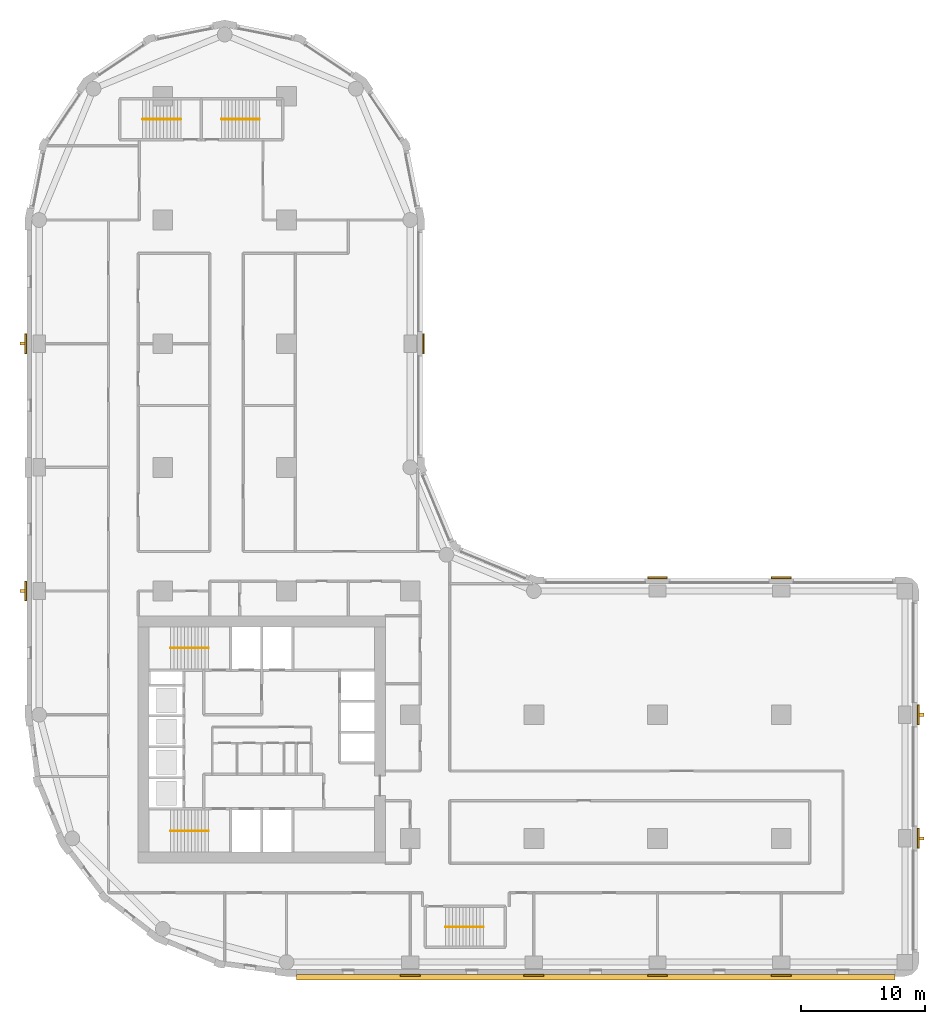
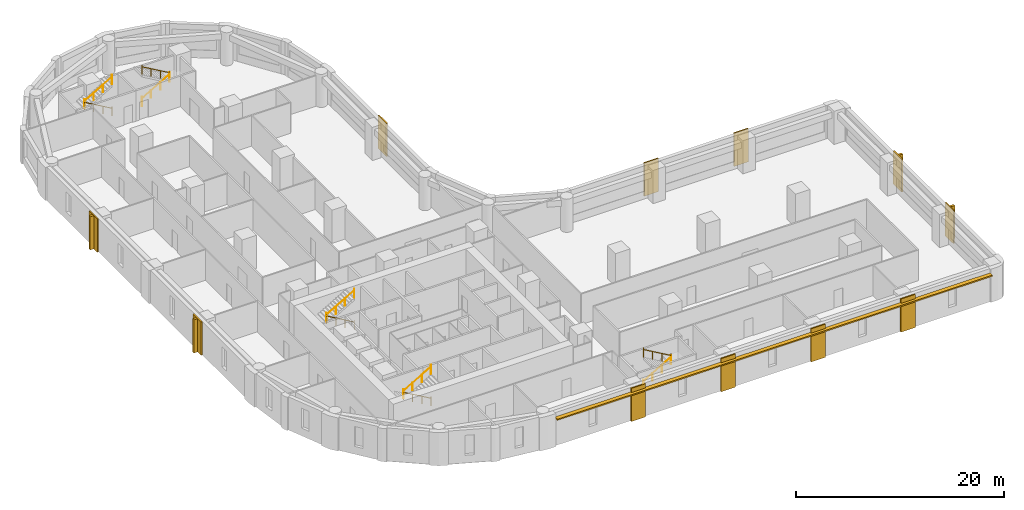
# One storey, part 9 of 10: 11 coverings, 10 railings, 5 shading devices.
"""IFC4 building model written with IfcOpenShell, lengths in metres."""

import ifcopenshell
import ifcopenshell.guid

model = None  # the IFC model being written
_history = None  # IfcOwnerHistory: only IFC2X3 demands one
_inside = {}  # id of a spatial element -> (the spatial element, [elements in it])
_under = {}  # id of a project, library or spatial element -> (it, [spatial elements below it])
_declared = {}  # id of a project -> (the project, [libraries it declares])
_typed = {}  # id of a type object -> (the type object, [elements of that type])
_made_of = {}  # id of a material, layer set ... -> (it, [elements and type objects made of it])


def new_model(schema):
    """Start an empty IFC model of exactly this schema.

    Asked for "IFC4X3", IfcOpenShell would pick the latest addendum, in which some entities
    have other attributes; the version numbers below select the first issue.
    IFC2X3 requires an IfcOwnerHistory on every rooted entity: one is made here for all.
    """
    global model, _history
    if schema == "IFC4X3":
        model = ifcopenshell.file(schema_version=(4, 3, 0, 0))
    else:
        model = ifcopenshell.file(schema=schema)
    _inside.clear()
    _under.clear()
    _declared.clear()
    _typed.clear()
    _made_of.clear()
    _history = None
    if model.schema == "IFC2X3":
        org = make("IfcOrganization", Name="unknown")
        user = make(
            "IfcPersonAndOrganization",
            ThePerson=make("IfcPerson", FamilyName="unknown"),
            TheOrganization=org,
        )
        app = make(
            "IfcApplication",
            ApplicationDeveloper=org,
            Version="unknown",
            ApplicationFullName="unknown",
            ApplicationIdentifier="unknown",
        )
        _history = make(
            "IfcOwnerHistory",
            OwningUser=user,
            OwningApplication=app,
            ChangeAction="ADDED",
            CreationDate=0,
        )
    return model


def make(cls, **values):
    """One entity of the class cls with the attributes given. An attribute that is None is left unset."""
    return model.create_entity(
        cls, **{name: value for name, value in values.items() if value is not None}
    )


def rooted(cls, **values):
    """An entity with a GlobalId (a new one), such as an element, a storey or a relation."""
    return make(cls, GlobalId=ifcopenshell.guid.new(), OwnerHistory=_history, **values)


def si_unit(unit_type, name, prefix=None):
    """IfcSIUnit, for example si_unit("LENGTHUNIT", "METRE", prefix="MILLI")."""
    return make("IfcSIUnit", UnitType=unit_type, Prefix=prefix, Name=name)


def assignment(units):
    """IfcUnitAssignment: the units of a project."""
    return None if units is None else make("IfcUnitAssignment", Units=units)


def point(xyz):
    """IfcCartesianPoint."""
    return None if xyz is None else make("IfcCartesianPoint", Coordinates=xyz)


def direction(xyz):
    """IfcDirection."""
    return None if xyz is None else make("IfcDirection", DirectionRatios=xyz)


def frame(location, z_axis=None, x_axis=None):
    """IfcAxis2Placement3D, a coordinate frame: its origin and axes. An axis left out is left unset."""
    return make(
        "IfcAxis2Placement3D",
        Location=point(location),
        Axis=direction(z_axis),
        RefDirection=direction(x_axis),
    )


def frame_2d(location, x_axis=None):
    """IfcAxis2Placement2D, a coordinate frame in the plane: its origin and x axis."""
    return make(
        "IfcAxis2Placement2D", Location=point(location), RefDirection=direction(x_axis)
    )


def origin():
    """The frame at (0, 0, 0) with its axes left unset."""
    return frame((0.0, 0.0, 0.0))


def origin_2d():
    """The frame at (0, 0) in the plane with its x axis left unset."""
    return frame_2d((0.0, 0.0))


def place(relative_to, where):
    """IfcLocalPlacement: puts the frame where relative to a parent placement (None: the world)."""
    return make(
        "IfcLocalPlacement", PlacementRelTo=relative_to, RelativePlacement=where
    )


def context(
    kind, dimensions, precision=None, world=None, true_north=None, identifier=None
):
    """IfcGeometricRepresentationContext, for example the 3D "Model" context."""
    return make(
        "IfcGeometricRepresentationContext",
        ContextIdentifier=identifier,
        ContextType=kind,
        CoordinateSpaceDimension=dimensions,
        Precision=precision,
        WorldCoordinateSystem=world,
        TrueNorth=true_north,
    )


def subcontext(parent, identifier, kind, view, scale=None):
    """IfcGeometricRepresentationSubContext, for example "Body" below "Model"."""
    return make(
        "IfcGeometricRepresentationSubContext",
        ContextIdentifier=identifier,
        ContextType=kind,
        ParentContext=parent,
        TargetScale=scale,
        TargetView=view,
    )


def project(units=None, contexts=None):
    """IfcProject with its units and contexts."""
    return rooted(
        "IfcProject",
        Name="project",
        RepresentationContexts=contexts,
        UnitsInContext=assignment(units),
    )


def spatial(cls, under=None, at=None, **own):
    """A site, building, storey or space (cls), placed at a placement, below another one or the project."""
    s = rooted(cls, ObjectPlacement=at, **own)
    if under is not None:
        _under.setdefault(under.id(), (under, []))[1].append(s)
    return s


def polyline(points):
    """IfcPolyline through the points."""
    return make("IfcPolyline", Points=[point(p) for p in points])


def profile(cls, at=None, kind="AREA", **sizes):
    """A parametric profile (cls). Its sizes go by their IFC names, for example OverallWidth=200.0."""
    return make(cls, ProfileType=kind, Position=at, **sizes)


def rectangle(**sizes):
    """IfcRectangleProfileDef."""
    return profile("IfcRectangleProfileDef", **sizes)


def circle(**sizes):
    """IfcCircleProfileDef."""
    return profile("IfcCircleProfileDef", **sizes)


def outline(outer, holes=None, kind="AREA"):
    """IfcArbitraryClosedProfileDef: a profile drawn as a closed curve; with holes, ...WithVoids."""
    if holes is None:
        return make("IfcArbitraryClosedProfileDef", ProfileType=kind, OuterCurve=outer)
    return make(
        "IfcArbitraryProfileDefWithVoids",
        ProfileType=kind,
        OuterCurve=outer,
        InnerCurves=holes,
    )


def extrude(swept, where, along, depth):
    """IfcExtrudedAreaSolid: the profile swept, set in the frame where, extruded along a direction by depth."""
    return make(
        "IfcExtrudedAreaSolid",
        SweptArea=swept,
        Position=where,
        ExtrudedDirection=direction(along),
        Depth=depth,
    )


def shape(context_of_items, identifier, shape_type, items):
    """IfcShapeRepresentation: the items that make up one representation, for example the "Body"."""
    return make(
        "IfcShapeRepresentation",
        ContextOfItems=context_of_items,
        RepresentationIdentifier=identifier,
        RepresentationType=shape_type,
        Items=items,
    )


def material(Name=None, Category=None):
    """IfcMaterial."""
    return make("IfcMaterial", Name=Name, Category=Category)


def layer(
    of_material, thickness, ventilated=None, Name=None, Category=None, Priority=None
):
    """IfcMaterialLayer: one layer of a wall or slab, of a material (None: an air gap)."""
    return make(
        "IfcMaterialLayer",
        Material=of_material,
        LayerThickness=thickness,
        IsVentilated=ventilated,
        Name=Name,
        Category=Category,
        Priority=Priority,
    )


def layer_set(layers, Name=None):
    """IfcMaterialLayerSet."""
    return make("IfcMaterialLayerSet", MaterialLayers=layers, LayerSetName=Name)


def made_of(thing, what):
    """Note that an element or type object is made of a material, layer set ...; save() writes the relation."""
    if what is not None:
        _made_of.setdefault(what.id(), (what, []))[1].append(thing)
    return thing


def type_object(cls, material=None, **own):
    """A type object (cls), such as IfcWallType, which elements share."""
    return made_of(rooted(cls, **own), material)


def element(
    cls,
    number,
    at=None,
    inside=None,
    cuts=None,
    type_object=None,
    material=None,
    context=None,
    identifier="Body",
    shape_type=None,
    held_by="IfcProductDefinitionShape",
    body=None,
    shapes=None,
    **own,
):
    """One element of the class cls, such as IfcWall. Its Tag is "e" and its number.

    at: its placement. inside: the storey or other place that contains it. cuts: it is an
    opening in that element (IfcRelVoidsElement). A single representation is given by context,
    identifier, shape_type and body (its items); several are given by shapes. held_by: the class
    of the entity that holds the representations. save() writes the other relations.
    """
    e = rooted(cls, Tag="e%d" % number, ObjectPlacement=at, **own)
    if body is not None:
        shapes = [shape(context, identifier, shape_type, body)]
    if shapes is not None:
        e.Representation = make(held_by, Representations=shapes)
    if inside is not None:
        _inside.setdefault(inside.id(), (inside, []))[1].append(e)
    if cuts is not None:
        rooted(
            "IfcRelVoidsElement", RelatingBuildingElement=cuts, RelatedOpeningElement=e
        )
    if type_object is not None:
        _typed.setdefault(type_object.id(), (type_object, []))[1].append(e)
    return made_of(e, material)


def aggregate(whole, parts):
    """IfcRelAggregates: a whole, such as a stair, and the parts it consists of."""
    return rooted("IfcRelAggregates", RelatingObject=whole, RelatedObjects=parts)


def save(model, path):
    """Write the relations noted so far, then the file.

    IfcRelAggregates (storeys below a building ...), IfcRelContainedInSpatialStructure (elements
    in a storey), IfcRelDefinesByType, IfcRelAssociatesMaterial and IfcRelDeclares: one each for
    every whole, place, type object, material and project.
    """
    for whole, parts in _under.values():
        aggregate(whole, parts)
    for where, things in _inside.values():
        rooted(
            "IfcRelContainedInSpatialStructure",
            RelatedElements=things,
            RelatingStructure=where,
        )
    for kind, things in _typed.values():
        rooted("IfcRelDefinesByType", RelatedObjects=things, RelatingType=kind)
    for what, things in _made_of.values():
        rooted("IfcRelAssociatesMaterial", RelatedObjects=things, RelatingMaterial=what)
    for by, libraries in _declared.values():
        rooted("IfcRelDeclares", RelatingContext=by, RelatedDefinitions=libraries)
    model.write(path)


model = new_model("IFC4")

# Units and contexts
model_context = context("Model", 3, precision=1e-05, world=origin(), true_north=direction((0.0, 1.0)))
body_context = subcontext(model_context, "Body", "Model", "MODEL_VIEW")
ifc_project = project(units=[si_unit("LENGTHUNIT", "METRE"), si_unit("AREAUNIT", "SQUARE_METRE"), si_unit("VOLUMEUNIT", "CUBIC_METRE"), si_unit("PLANEANGLEUNIT", "RADIAN"), si_unit("MASSUNIT", "GRAM", prefix="KILO")], contexts=[model_context])

# Site, building, storey
site_placement = place(None, origin())
site = spatial("IfcSite", under=ifc_project, at=site_placement, CompositionType="ELEMENT")
building_placement = place(site_placement, origin())
building = spatial("IfcBuilding", under=site, at=building_placement, Name="Qaws Garden Tower", CompositionType="ELEMENT")
storey_placement = place(building_placement, frame((0.0, 0.0, 93.89990234375)))
storey = spatial("IfcBuildingStorey", under=building, at=storey_placement, Name="L23", CompositionType="ELEMENT", Elevation=93.89990234375)

# Coverings
ifc_material_1 = material(Name="Clay facing brick masonry", Category="masonry")
ifc_layer_1 = layer(ifc_material_1, 0.14990234375)
ifc_layer_set_1 = layer_set([ifc_layer_1], Name="Clay facing brick masonry")
covering_type = type_object("IfcCoveringType", Name="Brick pilaster facing 150 x 1600", PredefinedType="CLADDING", material=ifc_layer_set_1)
placement = place(storey_placement, origin())
element("IfcCovering", 1, at=placement, inside=storey, type_object=covering_type, Name="E-L23-pier-01", PredefinedType="CLADDING", context=body_context, shape_type="SweptSolid", body=[
    extrude(outline(polyline([(29.199951171875, -1.0), (30.800048828125, -1.0), (30.800048828125, -1.14990234375), (29.199951171875, -1.14990234375), (29.199951171875, -1.0)])), origin(), (0.0, 0.0, 1.0), 3.900146484375),
])
element("IfcCovering", 2, at=placement, inside=storey, type_object=covering_type, Name="E-L23-pier-02", PredefinedType="CLADDING", context=body_context, shape_type="SweptSolid", body=[
    extrude(outline(polyline([(39.199951171875, -1.0), (40.800048828125, -1.0), (40.800048828125, -1.14990234375), (39.199951171875, -1.14990234375), (39.199951171875, -1.0)])), origin(), (0.0, 0.0, 1.0), 3.900146484375),
])
element("IfcCovering", 3, at=placement, inside=storey, type_object=covering_type, Name="E-L23-pier-03", PredefinedType="CLADDING", context=body_context, shape_type="SweptSolid", body=[
    extrude(outline(polyline([(49.199951171875, -1.0), (50.800048828125, -1.0), (50.800048828125, -1.14990234375), (49.199951171875, -1.14990234375), (49.199951171875, -1.0)])), origin(), (0.0, 0.0, 1.0), 3.900146484375),
])
element("IfcCovering", 4, at=placement, inside=storey, type_object=covering_type, Name="E-L23-pier-04", PredefinedType="CLADDING", context=body_context, shape_type="SweptSolid", body=[
    extrude(outline(polyline([(59.199951171875, -1.0), (60.800048828125, -1.0), (60.800048828125, -1.14990234375), (59.199951171875, -1.14990234375), (59.199951171875, -1.0)])), origin(), (0.0, 0.0, 1.0), 3.900146484375),
])
element("IfcCovering", 5, at=placement, inside=storey, type_object=covering_type, Name="E-L23-pier-06", PredefinedType="CLADDING", context=body_context, shape_type="SweptSolid", body=[
    extrude(outline(polyline([(71.0, 9.199951171875), (71.0, 10.800048828125), (71.14990234375, 10.800048828125), (71.14990234375, 9.199951171875), (71.0, 9.199951171875)])), origin(), (0.0, 0.0, 1.0), 3.900146484375),
])
element("IfcCovering", 6, at=placement, inside=storey, type_object=covering_type, Name="E-L23-pier-07", PredefinedType="CLADDING", context=body_context, shape_type="SweptSolid", body=[
    extrude(outline(polyline([(71.0, 19.199951171875), (71.0, 20.800048828125), (71.14990234375, 20.800048828125), (71.14990234375, 19.199951171875), (71.0, 19.199951171875)])), origin(), (0.0, 0.0, 1.0), 3.900146484375),
])
element("IfcCovering", 7, at=placement, inside=storey, type_object=covering_type, Name="E-L23-pier-09", PredefinedType="CLADDING", context=body_context, shape_type="SweptSolid", body=[
    extrude(outline(polyline([(60.800048828125, 31.0), (59.199951171875, 31.0), (59.199951171875, 31.14990234375), (60.800048828125, 31.14990234375), (60.800048828125, 31.0)])), origin(), (0.0, 0.0, 1.0), 3.900146484375),
])
element("IfcCovering", 8, at=placement, inside=storey, type_object=covering_type, Name="E-L23-pier-10", PredefinedType="CLADDING", context=body_context, shape_type="SweptSolid", body=[
    extrude(outline(polyline([(50.800048828125, 31.0), (49.199951171875, 31.0), (49.199951171875, 31.14990234375), (50.800048828125, 31.14990234375), (50.800048828125, 31.0)])), origin(), (0.0, 0.0, 1.0), 3.900146484375),
])
element("IfcCovering", 9, at=placement, inside=storey, type_object=covering_type, Name="E-L23-pier-14", PredefinedType="CLADDING", context=body_context, shape_type="SweptSolid", body=[
    extrude(outline(polyline([(31.0, 49.199951171875), (31.0, 50.800048828125), (31.14990234375, 50.800048828125), (31.14990234375, 49.199951171875), (31.0, 49.199951171875)])), origin(), (0.0, 0.0, 1.0), 3.900146484375),
])
element("IfcCovering", 10, at=placement, inside=storey, type_object=covering_type, Name="E-L23-pier-24", PredefinedType="CLADDING", context=body_context, shape_type="SweptSolid", body=[
    extrude(outline(polyline([(-1.0, 50.800048828125), (-1.0, 49.199951171875), (-1.14990234375, 49.199951171875), (-1.14990234375, 50.800048828125), (-1.0, 50.800048828125)])), origin(), (0.0, 0.0, 1.0), 3.900146484375),
])
element("IfcCovering", 11, at=placement, inside=storey, type_object=covering_type, Name="E-L23-pier-26", PredefinedType="CLADDING", context=body_context, shape_type="SweptSolid", body=[
    extrude(outline(polyline([(-1.0, 30.800048828125), (-1.0, 29.199951171875), (-1.14990234375, 29.199951171875), (-1.14990234375, 30.800048828125), (-1.0, 30.800048828125)])), origin(), (0.0, 0.0, 1.0), 3.900146484375),
])

# Shading devices
ifc_material_2 = material(Name="Clay facing brick masonry", Category="masonry")
ifc_layer_2 = layer(ifc_material_2, 0.14990234375)
ifc_layer_set_2 = layer_set([ifc_layer_2], Name="Clay facing brick masonry")
shading_device_type_1 = type_object("IfcShadingDeviceType", Name="Brick sunshade band 450 x 150", PredefinedType="JALOUSIE", material=ifc_layer_set_2)
shading_device_placement = place(storey_placement, frame((0.0, 0.0, 3.25)))
element("IfcShadingDevice", 12, at=shading_device_placement, inside=storey, type_object=shading_device_type_1, Name="SUNSHADE 00", PredefinedType="JALOUSIE", context=body_context, shape_type="SweptSolid", body=[
    extrude(outline(polyline([(20.800048828125, -1.0), (20.800048828125, -1.449951171875), (69.199951171875, -1.449951171875), (69.199951171875, -1.0), (60.800048828125, -1.0), (60.800048828125, -1.14990234375), (59.199951171875, -1.14990234375), (59.199951171875, -1.0), (50.800048828125, -1.0), (50.800048828125, -1.14990234375), (49.199951171875, -1.14990234375), (49.199951171875, -1.0), (40.800048828125, -1.0), (40.800048828125, -1.14990234375), (39.199951171875, -1.14990234375), (39.199951171875, -1.0), (30.800048828125, -1.0), (30.800048828125, -1.14990234375), (29.199951171875, -1.14990234375), (29.199951171875, -1.0), (20.800048828125, -1.0)])), origin(), (0.0, 0.0, 1.0), 0.150146484375),
])
ifc_material_3 = material(Name="Clay facing brick masonry", Category="masonry")
ifc_layer_3 = layer(ifc_material_3, 0.25)
ifc_layer_set_3 = layer_set([ifc_layer_3], Name="Clay facing brick masonry")
shading_device_type_2 = type_object("IfcShadingDeviceType", Name="Brick-faced fin 250 x 400", PredefinedType="USERDEFINED", material=ifc_layer_set_3)
for number, where, z_axis, x_axis, name in (
    (13, (71.35009765625, 10.0, 0.000244140625), (0.0, 0.0, 1.0), (0.0, 1.0, 0.0), "FIN 06"),
    (14, (71.35009765625, 20.0, 0.000244140625), (0.0, 0.0, 1.0), (0.0, 1.0, 0.0), "FIN 07"),
    (15, (-1.35009765625, 50.0, 0.000244140625), (0.0, 0.0, 1.0), (0.0, -1.0, 0.0), "FIN 24"),
    (16, (-1.35009765625, 30.0, 0.000244140625), (0.0, 0.0, 1.0), (0.0, -1.0, 0.0), "FIN 26"),
):
    element("IfcShadingDevice", number, at=place(storey_placement, frame(where, z_axis=z_axis, x_axis=x_axis)), inside=storey, type_object=shading_device_type_2, Name=name, ObjectType="FIN", PredefinedType="USERDEFINED", context=body_context, shape_type="SweptSolid", body=[
        extrude(rectangle(XDim=0.25, YDim=0.39990234375, at=origin_2d()), origin(), (0.0, 0.0, 1.0), 3.89990234375),
    ])

# Railings
ifc_material_4 = material(Name="Steel S355", Category="steel")
railing_type = type_object("IfcRailingType", Name="Stair handrail 900", PredefinedType="HANDRAIL", material=ifc_material_4)
railing_1_placement = place(storey_placement, frame((13.699951171875, 10.60009765625, 0.16259765625)))
element("IfcRailing", 17, at=railing_1_placement, inside=storey, type_object=railing_type, Name="Stair 1 handrail", PredefinedType="HANDRAIL", context=body_context, shape_type="SweptSolid", body=[
    extrude(circle(Radius=0.02392578125, at=origin_2d()), frame((0.0, 0.0, 0.8759765625), z_axis=(-0.864873446163, 0.0, 0.501989962173), x_axis=(0.0, -1.0, 0.0)), (0.0, 0.0, 1.0), 3.56103515625),
    extrude(circle(Radius=0.02099609375, at=origin_2d()), origin(), (0.0, 0.0, 1.0), 1.06201171875),
    extrude(circle(Radius=0.02099609375, at=origin_2d()), frame((-1.026611328125, 0.0, 0.595947265625)), (0.0, 0.0, 1.0), 0.851806640625),
    extrude(circle(Radius=0.02099609375, at=origin_2d()), frame((-2.05322265625, 0.0, 1.191650390625)), (0.0, 0.0, 1.0), 0.851806640625),
    extrude(circle(Radius=0.02099609375, at=origin_2d()), frame((-3.079833984375, 0.0, 1.78759765625)), (0.0, 0.0, 1.0), 1.06201171875),
])
railing_2_placement = place(storey_placement, frame((10.6201171875, 10.60009765625, 2.112548828125)))
element("IfcRailing", 18, at=railing_2_placement, inside=storey, type_object=railing_type, Name="Stair 1 handrail", PredefinedType="HANDRAIL", context=body_context, shape_type="SweptSolid", body=[
    extrude(circle(Radius=0.02392578125, at=origin_2d()), frame((0.0, 0.0, 0.8759765625), z_axis=(0.864873446163, 0.0, 0.501989962173), x_axis=(0.0, 1.0, 0.0)), (0.0, 0.0, 1.0), 3.56103515625),
    extrude(circle(Radius=0.02099609375, at=origin_2d()), origin(), (0.0, 0.0, 1.0), 1.06201171875),
    extrude(circle(Radius=0.02099609375, at=origin_2d()), frame((1.026611328125, 0.0, 0.595947265625)), (0.0, 0.0, 1.0), 0.851806640625),
    extrude(circle(Radius=0.02099609375, at=origin_2d()), frame((2.05322265625, 0.0, 1.191650390625)), (0.0, 0.0, 1.0), 0.851806640625),
    extrude(circle(Radius=0.02099609375, at=origin_2d()), frame((3.079833984375, 0.0, 1.78759765625)), (0.0, 0.0, 1.0), 1.06201171875),
])
railing_3_placement = place(storey_placement, frame((13.699951171875, 25.39990234375, 0.16259765625)))
element("IfcRailing", 19, at=railing_3_placement, inside=storey, type_object=railing_type, Name="Stair 4 handrail", PredefinedType="HANDRAIL", context=body_context, shape_type="SweptSolid", body=[
    extrude(circle(Radius=0.02392578125, at=origin_2d()), frame((0.0, 0.0, 0.8759765625), z_axis=(-0.864873446163, 0.0, 0.501989962173), x_axis=(0.0, -1.0, 0.0)), (0.0, 0.0, 1.0), 3.56103515625),
    extrude(circle(Radius=0.02099609375, at=origin_2d()), origin(), (0.0, 0.0, 1.0), 1.06201171875),
    extrude(circle(Radius=0.02099609375, at=origin_2d()), frame((-1.026611328125, 0.0, 0.595947265625)), (0.0, 0.0, 1.0), 0.851806640625),
    extrude(circle(Radius=0.02099609375, at=origin_2d()), frame((-2.05322265625, 0.0, 1.191650390625)), (0.0, 0.0, 1.0), 0.851806640625),
    extrude(circle(Radius=0.02099609375, at=origin_2d()), frame((-3.079833984375, 0.0, 1.78759765625)), (0.0, 0.0, 1.0), 1.06201171875),
])
for number, where, name in (
    (20, (10.6201171875, 25.39990234375, 2.112548828125), "Stair 4 handrail"),
    (21, (32.85009765625, 2.85009765625, 0.16259765625), "Stair 5 handrail"),
):
    element("IfcRailing", number, at=place(storey_placement, frame(where)), inside=storey, type_object=railing_type, Name=name, PredefinedType="HANDRAIL", context=body_context, shape_type="SweptSolid", body=[
        extrude(circle(Radius=0.02392578125, at=origin_2d()), frame((0.0, 0.0, 0.8759765625), z_axis=(0.864873446163, 0.0, 0.501989962173), x_axis=(0.0, 1.0, 0.0)), (0.0, 0.0, 1.0), 3.56103515625),
        extrude(circle(Radius=0.02099609375, at=origin_2d()), origin(), (0.0, 0.0, 1.0), 1.06201171875),
        extrude(circle(Radius=0.02099609375, at=origin_2d()), frame((1.026611328125, 0.0, 0.595947265625)), (0.0, 0.0, 1.0), 0.851806640625),
        extrude(circle(Radius=0.02099609375, at=origin_2d()), frame((2.05322265625, 0.0, 1.191650390625)), (0.0, 0.0, 1.0), 0.851806640625),
        extrude(circle(Radius=0.02099609375, at=origin_2d()), frame((3.079833984375, 0.0, 1.78759765625)), (0.0, 0.0, 1.0), 1.06201171875),
    ])
for number, where, name in (
    (22, (35.929931640625, 2.85009765625, 2.112548828125), "Stair 5 handrail"),
    (23, (11.449951171875, 68.14990234375, 0.16259765625), "Stair 6 handrail"),
):
    element("IfcRailing", number, at=place(storey_placement, frame(where)), inside=storey, type_object=railing_type, Name=name, PredefinedType="HANDRAIL", context=body_context, shape_type="SweptSolid", body=[
        extrude(circle(Radius=0.02392578125, at=origin_2d()), frame((0.0, 0.0, 0.8759765625), z_axis=(-0.864873446163, 0.0, 0.501989962173), x_axis=(0.0, -1.0, 0.0)), (0.0, 0.0, 1.0), 3.56103515625),
        extrude(circle(Radius=0.02099609375, at=origin_2d()), origin(), (0.0, 0.0, 1.0), 1.06201171875),
        extrude(circle(Radius=0.02099609375, at=origin_2d()), frame((-1.026611328125, 0.0, 0.595947265625)), (0.0, 0.0, 1.0), 0.851806640625),
        extrude(circle(Radius=0.02099609375, at=origin_2d()), frame((-2.05322265625, 0.0, 1.191650390625)), (0.0, 0.0, 1.0), 0.851806640625),
        extrude(circle(Radius=0.02099609375, at=origin_2d()), frame((-3.079833984375, 0.0, 1.78759765625)), (0.0, 0.0, 1.0), 1.06201171875),
    ])
railing_4_placement = place(storey_placement, frame((8.3701171875, 68.14990234375, 2.112548828125)))
element("IfcRailing", 24, at=railing_4_placement, inside=storey, type_object=railing_type, Name="Stair 6 handrail", PredefinedType="HANDRAIL", context=body_context, shape_type="SweptSolid", body=[
    extrude(circle(Radius=0.02392578125, at=origin_2d()), frame((0.0, 0.0, 0.8759765625), z_axis=(0.864873446163, 0.0, 0.501989962173), x_axis=(0.0, 1.0, 0.0)), (0.0, 0.0, 1.0), 3.56103515625),
    extrude(circle(Radius=0.02099609375, at=origin_2d()), origin(), (0.0, 0.0, 1.0), 1.06201171875),
    extrude(circle(Radius=0.02099609375, at=origin_2d()), frame((1.026611328125, 0.0, 0.595947265625)), (0.0, 0.0, 1.0), 0.851806640625),
    extrude(circle(Radius=0.02099609375, at=origin_2d()), frame((2.05322265625, 0.0, 1.191650390625)), (0.0, 0.0, 1.0), 0.851806640625),
    extrude(circle(Radius=0.02099609375, at=origin_2d()), frame((3.079833984375, 0.0, 1.78759765625)), (0.0, 0.0, 1.0), 1.06201171875),
])
railing_5_placement = place(storey_placement, frame((14.75, 68.14990234375, 0.16259765625)))
element("IfcRailing", 25, at=railing_5_placement, inside=storey, type_object=railing_type, Name="Stair 7 handrail", PredefinedType="HANDRAIL", context=body_context, shape_type="SweptSolid", body=[
    extrude(circle(Radius=0.02392578125, at=origin_2d()), frame((0.0, 0.0, 0.8759765625), z_axis=(0.864890721111, 0.0, 0.501960198159), x_axis=(0.0, 1.0, 0.0)), (0.0, 0.0, 1.0), 3.561279296875),
    extrude(circle(Radius=0.02099609375, at=origin_2d()), origin(), (0.0, 0.0, 1.0), 1.06201171875),
    extrude(circle(Radius=0.02099609375, at=origin_2d()), frame((1.026611328125, 0.0, 0.595947265625)), (0.0, 0.0, 1.0), 0.851806640625),
    extrude(circle(Radius=0.02099609375, at=origin_2d()), frame((2.053466796875, 0.0, 1.191650390625)), (0.0, 0.0, 1.0), 0.851806640625),
    extrude(circle(Radius=0.02099609375, at=origin_2d()), frame((3.080078125, 0.0, 1.78759765625)), (0.0, 0.0, 1.0), 1.06201171875),
])
railing_6_placement = place(storey_placement, frame((17.830078125, 68.14990234375, 2.112548828125)))
element("IfcRailing", 26, at=railing_6_placement, inside=storey, type_object=railing_type, Name="Stair 7 handrail", PredefinedType="HANDRAIL", context=body_context, shape_type="SweptSolid", body=[
    extrude(circle(Radius=0.02392578125, at=origin_2d()), frame((0.0, 0.0, 0.8759765625), z_axis=(-0.864890721111, 0.0, 0.501960198159), x_axis=(0.0, -1.0, 0.0)), (0.0, 0.0, 1.0), 3.561279296875),
    extrude(circle(Radius=0.02099609375, at=origin_2d()), origin(), (0.0, 0.0, 1.0), 1.06201171875),
    extrude(circle(Radius=0.02099609375, at=origin_2d()), frame((-1.026611328125, 0.0, 0.595947265625)), (0.0, 0.0, 1.0), 0.851806640625),
    extrude(circle(Radius=0.02099609375, at=origin_2d()), frame((-2.053466796875, 0.0, 1.191650390625)), (0.0, 0.0, 1.0), 0.851806640625),
    extrude(circle(Radius=0.02099609375, at=origin_2d()), frame((-3.080078125, 0.0, 1.78759765625)), (0.0, 0.0, 1.0), 1.06201171875),
])

save(model, "model.ifc")
